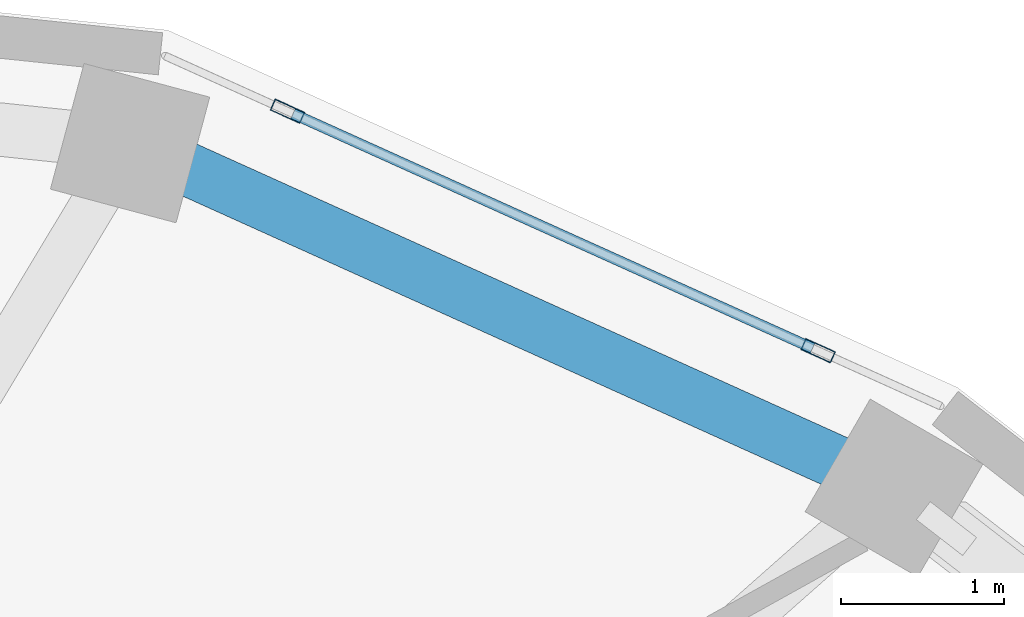
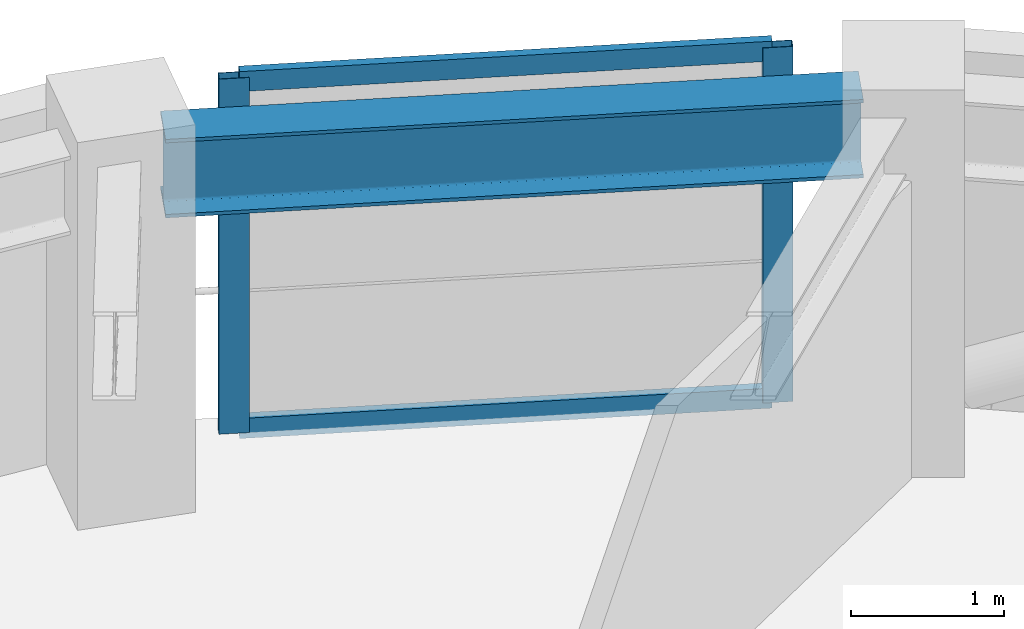
# One storey, part 8 of 16: 4 members, 1 beam, 1 element without a shape of its own.
"""IFC4 building model written with IfcOpenShell, lengths in metres."""

import ifcopenshell
import ifcopenshell.guid

model = None  # the IFC model being written
_history = None  # IfcOwnerHistory: only IFC2X3 demands one
_inside = {}  # id of a spatial element -> (the spatial element, [elements in it])
_under = {}  # id of a project, library or spatial element -> (it, [spatial elements below it])
_declared = {}  # id of a project -> (the project, [libraries it declares])
_typed = {}  # id of a type object -> (the type object, [elements of that type])
_made_of = {}  # id of a material, layer set ... -> (it, [elements and type objects made of it])


def new_model(schema):
    """Start an empty IFC model of exactly this schema.

    Asked for "IFC4X3", IfcOpenShell would pick the latest addendum, in which some entities
    have other attributes; the version numbers below select the first issue.
    IFC2X3 requires an IfcOwnerHistory on every rooted entity: one is made here for all.
    """
    global model, _history
    if schema == "IFC4X3":
        model = ifcopenshell.file(schema_version=(4, 3, 0, 0))
    else:
        model = ifcopenshell.file(schema=schema)
    _inside.clear()
    _under.clear()
    _declared.clear()
    _typed.clear()
    _made_of.clear()
    _history = None
    if model.schema == "IFC2X3":
        org = make("IfcOrganization", Name="unknown")
        user = make(
            "IfcPersonAndOrganization",
            ThePerson=make("IfcPerson", FamilyName="unknown"),
            TheOrganization=org,
        )
        app = make(
            "IfcApplication",
            ApplicationDeveloper=org,
            Version="unknown",
            ApplicationFullName="unknown",
            ApplicationIdentifier="unknown",
        )
        _history = make(
            "IfcOwnerHistory",
            OwningUser=user,
            OwningApplication=app,
            ChangeAction="ADDED",
            CreationDate=0,
        )
    return model


def make(cls, **values):
    """One entity of the class cls with the attributes given. An attribute that is None is left unset."""
    return model.create_entity(
        cls, **{name: value for name, value in values.items() if value is not None}
    )


def rooted(cls, **values):
    """An entity with a GlobalId (a new one), such as an element, a storey or a relation."""
    return make(cls, GlobalId=ifcopenshell.guid.new(), OwnerHistory=_history, **values)


def si_unit(unit_type, name, prefix=None):
    """IfcSIUnit, for example si_unit("LENGTHUNIT", "METRE", prefix="MILLI")."""
    return make("IfcSIUnit", UnitType=unit_type, Prefix=prefix, Name=name)


def assignment(units):
    """IfcUnitAssignment: the units of a project."""
    return None if units is None else make("IfcUnitAssignment", Units=units)


def point(xyz):
    """IfcCartesianPoint."""
    return None if xyz is None else make("IfcCartesianPoint", Coordinates=xyz)


def direction(xyz):
    """IfcDirection."""
    return None if xyz is None else make("IfcDirection", DirectionRatios=xyz)


def frame(location, z_axis=None, x_axis=None):
    """IfcAxis2Placement3D, a coordinate frame: its origin and axes. An axis left out is left unset."""
    return make(
        "IfcAxis2Placement3D",
        Location=point(location),
        Axis=direction(z_axis),
        RefDirection=direction(x_axis),
    )


def frame_2d(location, x_axis=None):
    """IfcAxis2Placement2D, a coordinate frame in the plane: its origin and x axis."""
    return make(
        "IfcAxis2Placement2D", Location=point(location), RefDirection=direction(x_axis)
    )


def origin():
    """The frame at (0, 0, 0) with its axes left unset."""
    return frame((0.0, 0.0, 0.0))


def origin_2d():
    """The frame at (0, 0) in the plane with its x axis left unset."""
    return frame_2d((0.0, 0.0))


def place(relative_to, where):
    """IfcLocalPlacement: puts the frame where relative to a parent placement (None: the world)."""
    return make(
        "IfcLocalPlacement", PlacementRelTo=relative_to, RelativePlacement=where
    )


def context(
    kind, dimensions, precision=None, world=None, true_north=None, identifier=None
):
    """IfcGeometricRepresentationContext, for example the 3D "Model" context."""
    return make(
        "IfcGeometricRepresentationContext",
        ContextIdentifier=identifier,
        ContextType=kind,
        CoordinateSpaceDimension=dimensions,
        Precision=precision,
        WorldCoordinateSystem=world,
        TrueNorth=true_north,
    )


def subcontext(parent, identifier, kind, view, scale=None):
    """IfcGeometricRepresentationSubContext, for example "Body" below "Model"."""
    return make(
        "IfcGeometricRepresentationSubContext",
        ContextIdentifier=identifier,
        ContextType=kind,
        ParentContext=parent,
        TargetScale=scale,
        TargetView=view,
    )


def project(units=None, contexts=None):
    """IfcProject with its units and contexts."""
    return rooted(
        "IfcProject",
        Name="project",
        RepresentationContexts=contexts,
        UnitsInContext=assignment(units),
    )


def spatial(cls, under=None, at=None, **own):
    """A site, building, storey or space (cls), placed at a placement, below another one or the project."""
    s = rooted(cls, ObjectPlacement=at, **own)
    if under is not None:
        _under.setdefault(under.id(), (under, []))[1].append(s)
    return s


def profile(cls, at=None, kind="AREA", **sizes):
    """A parametric profile (cls). Its sizes go by their IFC names, for example OverallWidth=200.0."""
    return make(cls, ProfileType=kind, Position=at, **sizes)


def hollow_rectangle(**sizes):
    """IfcRectangleHollowProfileDef."""
    return profile("IfcRectangleHollowProfileDef", **sizes)


def i_section(**sizes):
    """IfcIShapeProfileDef."""
    return profile("IfcIShapeProfileDef", **sizes)


def extrude(swept, where, along, depth):
    """IfcExtrudedAreaSolid: the profile swept, set in the frame where, extruded along a direction by depth."""
    return make(
        "IfcExtrudedAreaSolid",
        SweptArea=swept,
        Position=where,
        ExtrudedDirection=direction(along),
        Depth=depth,
    )


def shape(context_of_items, identifier, shape_type, items):
    """IfcShapeRepresentation: the items that make up one representation, for example the "Body"."""
    return make(
        "IfcShapeRepresentation",
        ContextOfItems=context_of_items,
        RepresentationIdentifier=identifier,
        RepresentationType=shape_type,
        Items=items,
    )


def material(Name=None, Category=None):
    """IfcMaterial."""
    return make("IfcMaterial", Name=Name, Category=Category)


def layer(
    of_material, thickness, ventilated=None, Name=None, Category=None, Priority=None
):
    """IfcMaterialLayer: one layer of a wall or slab, of a material (None: an air gap)."""
    return make(
        "IfcMaterialLayer",
        Material=of_material,
        LayerThickness=thickness,
        IsVentilated=ventilated,
        Name=Name,
        Category=Category,
        Priority=Priority,
    )


def layer_set(layers, Name=None):
    """IfcMaterialLayerSet."""
    return make("IfcMaterialLayerSet", MaterialLayers=layers, LayerSetName=Name)


def material_profile(
    of_material, cross_section, Name=None, Category=None, Priority=None
):
    """IfcMaterialProfile: a cross section and its material."""
    return make(
        "IfcMaterialProfile",
        Name=Name,
        Material=of_material,
        Profile=cross_section,
        Priority=Priority,
        Category=Category,
    )


def profile_set(profiles, Name=None, composite=None):
    """IfcMaterialProfileSet."""
    return make(
        "IfcMaterialProfileSet",
        Name=Name,
        MaterialProfiles=profiles,
        CompositeProfile=composite,
    )


def made_of(thing, what):
    """Note that an element or type object is made of a material, layer set ...; save() writes the relation."""
    if what is not None:
        _made_of.setdefault(what.id(), (what, []))[1].append(thing)
    return thing


def type_object(cls, material=None, **own):
    """A type object (cls), such as IfcWallType, which elements share."""
    return made_of(rooted(cls, **own), material)


def element(
    cls,
    number,
    at=None,
    inside=None,
    cuts=None,
    type_object=None,
    material=None,
    context=None,
    identifier="Body",
    shape_type=None,
    held_by="IfcProductDefinitionShape",
    body=None,
    shapes=None,
    **own,
):
    """One element of the class cls, such as IfcWall. Its Tag is "e" and its number.

    at: its placement. inside: the storey or other place that contains it. cuts: it is an
    opening in that element (IfcRelVoidsElement). A single representation is given by context,
    identifier, shape_type and body (its items); several are given by shapes. held_by: the class
    of the entity that holds the representations. save() writes the other relations.
    """
    e = rooted(cls, Tag="e%d" % number, ObjectPlacement=at, **own)
    if body is not None:
        shapes = [shape(context, identifier, shape_type, body)]
    if shapes is not None:
        e.Representation = make(held_by, Representations=shapes)
    if inside is not None:
        _inside.setdefault(inside.id(), (inside, []))[1].append(e)
    if cuts is not None:
        rooted(
            "IfcRelVoidsElement", RelatingBuildingElement=cuts, RelatedOpeningElement=e
        )
    if type_object is not None:
        _typed.setdefault(type_object.id(), (type_object, []))[1].append(e)
    return made_of(e, material)


def aggregate(whole, parts):
    """IfcRelAggregates: a whole, such as a stair, and the parts it consists of."""
    return rooted("IfcRelAggregates", RelatingObject=whole, RelatedObjects=parts)


def save(model, path):
    """Write the relations noted so far, then the file.

    IfcRelAggregates (storeys below a building ...), IfcRelContainedInSpatialStructure (elements
    in a storey), IfcRelDefinesByType, IfcRelAssociatesMaterial and IfcRelDeclares: one each for
    every whole, place, type object, material and project.
    """
    for whole, parts in _under.values():
        aggregate(whole, parts)
    for where, things in _inside.values():
        rooted(
            "IfcRelContainedInSpatialStructure",
            RelatedElements=things,
            RelatingStructure=where,
        )
    for kind, things in _typed.values():
        rooted("IfcRelDefinesByType", RelatedObjects=things, RelatingType=kind)
    for what, things in _made_of.values():
        rooted("IfcRelAssociatesMaterial", RelatedObjects=things, RelatingMaterial=what)
    for by, libraries in _declared.values():
        rooted("IfcRelDeclares", RelatingContext=by, RelatedDefinitions=libraries)
    model.write(path)


model = new_model("IFC4")

# Units and contexts
model_context = context("Model", 3, precision=1e-05, world=origin(), true_north=direction((0.0, 1.0)))
body_context = subcontext(model_context, "Body", "Model", "MODEL_VIEW")
ifc_project = project(units=[si_unit("LENGTHUNIT", "METRE"), si_unit("AREAUNIT", "SQUARE_METRE"), si_unit("VOLUMEUNIT", "CUBIC_METRE"), si_unit("PLANEANGLEUNIT", "RADIAN"), si_unit("MASSUNIT", "GRAM", prefix="KILO")], contexts=[model_context])

# Site, building, storey
site_placement = place(None, origin())
site = spatial("IfcSite", under=ifc_project, at=site_placement, CompositionType="ELEMENT")
building_placement = place(site_placement, origin())
building = spatial("IfcBuilding", under=site, at=building_placement, Name="Solvane Sanctuary Tower", CompositionType="ELEMENT")
storey_placement = place(building_placement, frame((0.0, 0.0, 226.39990234375)))
storey = spatial("IfcBuildingStorey", under=building, at=storey_placement, Name="L69", CompositionType="ELEMENT", Elevation=226.39990234375)

# Beam
ifc_material_1 = material(Name="Steel ASTM A992 Grade 50", Category="steel")
ifc_material_profile_1 = material_profile(ifc_material_1, i_section(OverallWidth=0.327880859375, OverallDepth=0.6279296875, WebThickness=0.0166015625, FlangeThickness=0.027587890625, FilletRadius=0.01611328125, at=origin_2d()), Name="W24X146")
ifc_profile_set_1 = profile_set([ifc_material_profile_1], Name="Steel ASTM A992 Grade 50")
beam_type = type_object("IfcBeamType", Name="Beam B-SPAND-Z3 W24X146", PredefinedType="SPANDREL", material=ifc_profile_set_1)
beam_placement = place(storey_placement, frame((39.111328125, 39.2470703125, 2.564208984375), z_axis=(0.911467646952, -0.411371764418, 0.0), x_axis=(0.411371764418, 0.911467646952, 0.0)))
element("IfcBeam", 1, at=beam_placement, inside=storey, type_object=beam_type, Name="L69 Perimeter Spandrel Beam TC03-TC02", PredefinedType="SPANDREL", context=body_context, shape_type="SweptSolid", body=[
    extrude(i_section(OverallWidth=0.327880859375, OverallDepth=0.6279296875, WebThickness=0.0166015625, FlangeThickness=0.027587890625, FilletRadius=0.01611328125, at=origin_2d()), origin(), (0.0, 0.0, 1.0), 4.59521484375),
])

# Curtain wall, members
ifc_material_2 = material(Name="Anodised Aluminium 6063-T6", Category="aluminium")
ifc_layer = layer(ifc_material_2, 0.18994140625, Name="Anodised Aluminium 6063-T6")
ifc_layer_set = layer_set([ifc_layer], Name="Anodised Aluminium 6063-T6")
curtain_wall_type = type_object("IfcCurtainWallType", Name="Curtain Wall CW-OPER", PredefinedType="NOTDEFINED", material=ifc_layer_set)
curtain_wall_placement = place(storey_placement, origin())
curtain_wall = element("IfcCurtainWall", 2, at=curtain_wall_placement, inside=storey, type_object=curtain_wall_type, Name="L69 CW-OPER Facade Run 04", PredefinedType="NOTDEFINED")
ifc_material_profile_2 = material_profile(ifc_material_2, hollow_rectangle(XDim=0.074951171875, YDim=0.199951171875, WallThickness=0.00390625, at=origin_2d()), Name="ALU200X75X4")
ifc_profile_set_2 = profile_set([ifc_material_profile_2], Name="Anodised Aluminium 6063-T6")
member_type_1 = type_object("IfcMemberType", Name="Member M-CW-MUL-1 ALU200X75X4", PredefinedType="MULLION", material=ifc_profile_set_2)
member_1_placement = place(storey_placement, frame((43.088623046875, 38.08544921875, 0.0), z_axis=(0.0, 0.0, 1.0), x_axis=(-0.411470931711, -0.911422883385, 0.0)))
member_1 = element("IfcMember", 3, at=member_1_placement, type_object=member_type_1, Name="CW-OPER mullion 1", PredefinedType="MULLION", context=body_context, shape_type="SweptSolid", body=[
    extrude(hollow_rectangle(XDim=0.074951171875, YDim=0.199951171875, WallThickness=0.00390625, at=origin_2d()), origin(), (0.0, 0.0, 1.0), 2.840087890625),
])
member_2_placement = place(storey_placement, frame((39.824462890625, 39.55908203125, 0.0), z_axis=(0.0, 0.0, 1.0), x_axis=(-0.411470931711, -0.911422883385, 0.0)))
member_2 = element("IfcMember", 4, at=member_2_placement, type_object=member_type_1, Name="CW-OPER mullion 2", PredefinedType="MULLION", context=body_context, shape_type="SweptSolid", body=[
    extrude(hollow_rectangle(XDim=0.074951171875, YDim=0.199951171875, WallThickness=0.00390625, at=origin_2d()), origin(), (0.0, 0.0, 1.0), 2.840087890625),
])
ifc_material_profile_3 = material_profile(ifc_material_2, hollow_rectangle(XDim=0.06494140625, YDim=0.159912109375, WallThickness=0.00341796875, at=origin_2d()), Name="ALU160X65X3.5")
ifc_profile_set_3 = profile_set([ifc_material_profile_3], Name="Anodised Aluminium 6063-T6")
member_type_2 = type_object("IfcMemberType", Name="Member M-CW-TRN-1 ALU160X65X3.5", PredefinedType="USERDEFINED", material=ifc_profile_set_3)
member_3_placement = place(storey_placement, frame((43.054443359375, 38.100830078125, 0.03271484375), z_axis=(-0.911438831618, 0.411435603975, 0.0), x_axis=(-0.411435603975, -0.911438831618, 0.0)))
member_3 = element("IfcMember", 5, at=member_3_placement, type_object=member_type_2, Name="CW-OPER transom 1.1", ObjectType="TRANSOM", PredefinedType="USERDEFINED", context=body_context, shape_type="SweptSolid", body=[
    extrude(hollow_rectangle(XDim=0.06494140625, YDim=0.159912109375, WallThickness=0.00341796875, at=origin_2d()), origin(), (0.0, 0.0, 1.0), 3.50634765625),
])
member_4_placement = place(storey_placement, frame((43.054443359375, 38.100830078125, 2.8076171875), z_axis=(-0.911438831618, 0.411435603975, 0.0), x_axis=(-0.411435603975, -0.911438831618, 0.0)))
member_4 = element("IfcMember", 6, at=member_4_placement, type_object=member_type_2, Name="CW-OPER transom 1.2", ObjectType="TRANSOM", PredefinedType="USERDEFINED", context=body_context, shape_type="SweptSolid", body=[
    extrude(hollow_rectangle(XDim=0.06494140625, YDim=0.159912109375, WallThickness=0.00341796875, at=origin_2d()), origin(), (0.0, 0.0, 1.0), 3.50634765625),
])
aggregate(curtain_wall, [member_1, member_2, member_3, member_4])

save(model, "model.ifc")
